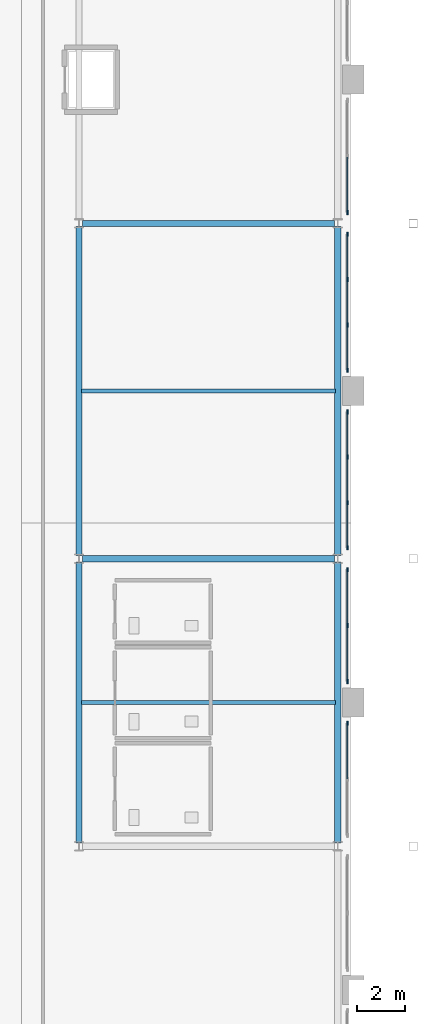
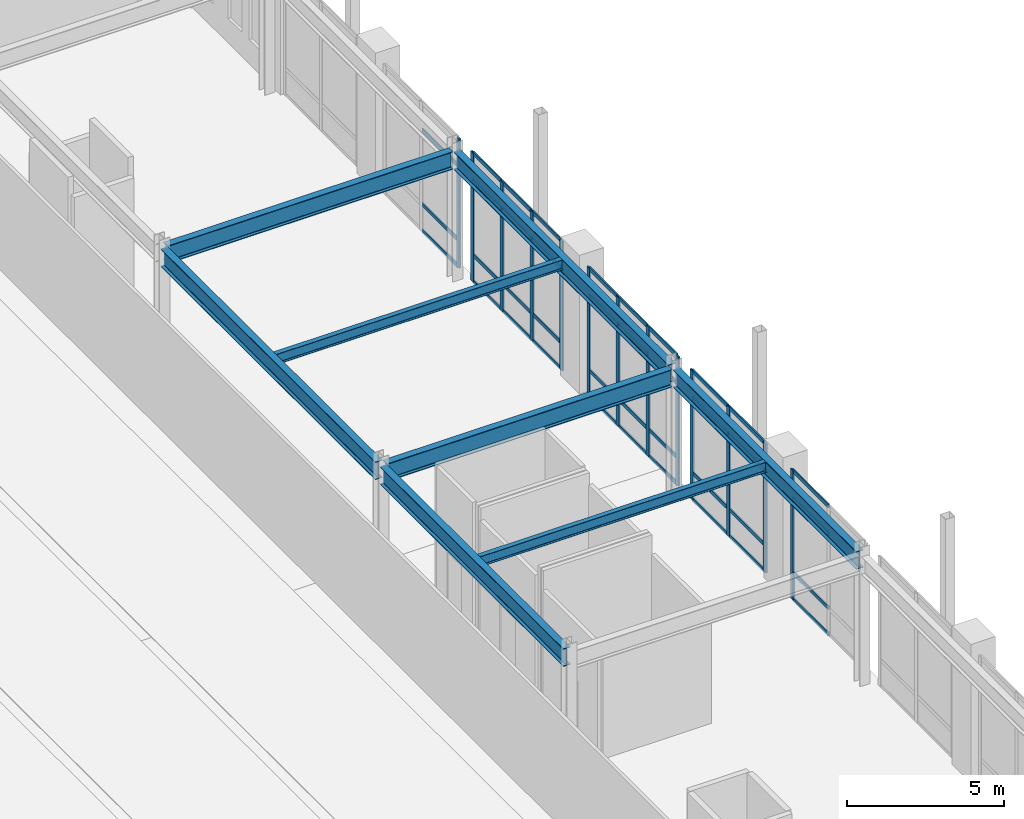
# One storey, part 72 of 159: 52 members, 8 beams, 5 elements without a shape of their own.
"""IFC4 building model written with IfcOpenShell, lengths in metres."""

from ifc_helpers import new_model, si_unit, derived_unit, direction, frame, origin, origin_2d, place, context, subcontext, project, spatial, rectangle, i_section, extrude, material, layer, layer_set, material_profile, profile_set, type_object, element, aggregate, save


model = new_model("IFC4")

# Units and contexts
model_context = context("Model", 3, precision=1e-05, world=origin(), true_north=direction((0.0, 1.0)))
body_context = subcontext(model_context, "Body", "Model", "MODEL_VIEW")
ifc_project = project(units=[si_unit("LENGTHUNIT", "METRE"), si_unit("AREAUNIT", "SQUARE_METRE"), si_unit("VOLUMEUNIT", "CUBIC_METRE"), si_unit("PLANEANGLEUNIT", "RADIAN"), si_unit("MASSUNIT", "GRAM", prefix="KILO"), derived_unit("THERMALTRANSMITTANCEUNIT", [(si_unit("MASSUNIT", "GRAM", prefix="KILO"), 1), (si_unit("TIMEUNIT", "SECOND"), -3), (si_unit("THERMODYNAMICTEMPERATUREUNIT", "KELVIN"), -1)])], contexts=[model_context])

# Site, building, storey
site_placement = place(None, origin())
site = spatial("IfcSite", under=ifc_project, at=site_placement, CompositionType="ELEMENT")
building_placement = place(site_placement, origin())
building = spatial("IfcBuilding", under=site, at=building_placement, Name="Valcora Ridge Arena", CompositionType="ELEMENT")
storey_placement = place(building_placement, frame((0.0, 0.0, 6.0)))
storey = spatial("IfcBuildingStorey", under=building, at=storey_placement, Name="L01", CompositionType="ELEMENT", Elevation=6.0)

# Beams
ifc_material_1 = material(Name="Steel ASTM A572 Grade 50", Category="steel")
ifc_material_profile_1 = material_profile(ifc_material_1, i_section(OverallWidth=0.256103515625, OverallDepth=0.693115234375, WebThickness=0.014404296875, FlangeThickness=0.023681640625, FilletRadius=0.02001953125, at=origin_2d()), Name="W27X114")
ifc_profile_set_1 = profile_set([ifc_material_profile_1], Name="Steel ASTM A572 Grade 50")
beam_type_1 = type_object("IfcBeamType", Name="TY-BEAM-G-W27X114-X", PredefinedType="BEAM", material=ifc_profile_set_1)
for number, where, z_axis, x_axis, name in (
    (1, (176.139892578125, 40.0, 4.693603515625), (1.0, 0.0, 0.0), (0.0, 1.0, 0.0), "G-W27X114-X BEM-G-W27X114-X-0030"),
    (2, (176.139892578125, 54.0, 4.693603515625), (1.0, 0.0, 0.0), (0.0, 1.0, 0.0), "G-W27X114-X BEM-G-W27X114-X-0032"),
):
    element("IfcBeam", number, at=place(storey_placement, frame(where, z_axis=z_axis, x_axis=x_axis)), inside=storey, type_object=beam_type_1, Name=name, PredefinedType="BEAM", context=body_context, shape_type="SweptSolid", body=[
        extrude(i_section(OverallWidth=0.256103515625, OverallDepth=0.693115234375, WebThickness=0.014404296875, FlangeThickness=0.023681640625, FilletRadius=0.02001953125, at=origin_2d()), origin(), (0.0, 0.0, 1.0), 10.52001953125),
    ])
ifc_material_profile_2 = material_profile(ifc_material_1, i_section(OverallWidth=0.256103515625, OverallDepth=0.693115234375, WebThickness=0.014404296875, FlangeThickness=0.023681640625, FilletRadius=0.02001953125, at=origin_2d()), Name="W27X114")
ifc_profile_set_2 = profile_set([ifc_material_profile_2], Name="Steel ASTM A572 Grade 50")
beam_type_2 = type_object("IfcBeamType", Name="TY-BEAM-G-W27X114-Y", PredefinedType="BEAM", material=ifc_profile_set_2)
beam_1_placement = place(storey_placement, frame((176.0, 28.139892578125, 4.693603515625), z_axis=(0.0, 1.0, 0.0), x_axis=(-1.0, 0.0, 0.0)))
element("IfcBeam", 3, at=beam_1_placement, inside=storey, type_object=beam_type_2, Name="G-W27X114-Y BEM-G-W27X114-Y-0049", PredefinedType="BEAM", context=body_context, shape_type="SweptSolid", body=[
    extrude(i_section(OverallWidth=0.256103515625, OverallDepth=0.693115234375, WebThickness=0.014404296875, FlangeThickness=0.023681640625, FilletRadius=0.02001953125, at=origin_2d()), origin(), (0.0, 0.0, 1.0), 11.72021484375),
])
beam_2_placement = place(storey_placement, frame((176.0, 40.139892578125, 4.693603515625), z_axis=(0.0, 1.0, 0.0), x_axis=(-1.0, 0.0, 0.0)))
element("IfcBeam", 4, at=beam_2_placement, inside=storey, type_object=beam_type_2, Name="G-W27X114-Y BEM-G-W27X114-Y-0050", PredefinedType="BEAM", context=body_context, shape_type="SweptSolid", body=[
    extrude(i_section(OverallWidth=0.256103515625, OverallDepth=0.693115234375, WebThickness=0.014404296875, FlangeThickness=0.023681640625, FilletRadius=0.02001953125, at=origin_2d()), origin(), (0.0, 0.0, 1.0), 13.72021484375),
])
beam_3_placement = place(storey_placement, frame((186.800048828125, 28.139892578125, 4.693603515625), z_axis=(0.0, 1.0, 0.0), x_axis=(-1.0, 0.0, 0.0)))
element("IfcBeam", 5, at=beam_3_placement, inside=storey, type_object=beam_type_2, Name="G-W27X114-Y BEM-G-W27X114-Y-0055", PredefinedType="BEAM", context=body_context, shape_type="SweptSolid", body=[
    extrude(i_section(OverallWidth=0.256103515625, OverallDepth=0.693115234375, WebThickness=0.014404296875, FlangeThickness=0.023681640625, FilletRadius=0.02001953125, at=origin_2d()), origin(), (0.0, 0.0, 1.0), 11.72021484375),
])
beam_4_placement = place(storey_placement, frame((186.800048828125, 40.139892578125, 4.693603515625), z_axis=(0.0, 1.0, 0.0), x_axis=(-1.0, 0.0, 0.0)))
element("IfcBeam", 6, at=beam_4_placement, inside=storey, type_object=beam_type_2, Name="G-W27X114-Y BEM-G-W27X114-Y-0056", PredefinedType="BEAM", context=body_context, shape_type="SweptSolid", body=[
    extrude(i_section(OverallWidth=0.256103515625, OverallDepth=0.693115234375, WebThickness=0.014404296875, FlangeThickness=0.023681640625, FilletRadius=0.02001953125, at=origin_2d()), origin(), (0.0, 0.0, 1.0), 13.72021484375),
])
ifc_material_profile_3 = material_profile(ifc_material_1, i_section(OverallWidth=0.177978515625, OverallDepth=0.406005859375, WebThickness=0.0078125, FlangeThickness=0.0126953125, FilletRadius=0.013916015625, at=origin_2d()), Name="W16X40")
ifc_profile_set_3 = profile_set([ifc_material_profile_3], Name="Steel ASTM A572 Grade 50")
beam_type_3 = type_object("IfcBeamType", Name="TY-BEAM-J-W16X40", PredefinedType="JOIST", material=ifc_profile_set_3)
for number, where, z_axis, x_axis, name in (
    (7, (176.10009765625, 34.0, 4.8369140625), (1.0, 0.0, 0.0), (0.0, 1.0, 0.0), "J-W16X40 BEM-J-W16X40-0015"),
    (8, (176.10009765625, 47.0, 4.8369140625), (1.0, 0.0, 0.0), (0.0, 1.0, 0.0), "J-W16X40 BEM-J-W16X40-0016"),
):
    element("IfcBeam", number, at=place(storey_placement, frame(where, z_axis=z_axis, x_axis=x_axis)), inside=storey, type_object=beam_type_3, Name=name, PredefinedType="JOIST", context=body_context, shape_type="SweptSolid", body=[
        extrude(i_section(OverallWidth=0.177978515625, OverallDepth=0.406005859375, WebThickness=0.0078125, FlangeThickness=0.0126953125, FilletRadius=0.013916015625, at=origin_2d()), origin(), (0.0, 0.0, 1.0), 10.599853515625),
    ])

# Curtain wall, member
ifc_material_2 = material(Name="Anodised dark bronze architectural aluminium 6063-T6", Category="aluminium")
ifc_layer_1 = layer(ifc_material_2, 0.179931640625, Name="Anodised dark bronze architectural aluminium 6063-T6")
ifc_layer_set_1 = layer_set([ifc_layer_1], Name="Anodised dark bronze architectural aluminium 6063-T6")
curtain_wall_type_1 = type_object("IfcCurtainWallType", Name="TY-CURTAINWALL-CW-V2-GLAZ-047X50", PredefinedType="NOTDEFINED", material=ifc_layer_set_1)
curtain_wall_1_placement = place(storey_placement, origin())
curtain_wall_1 = element("IfcCurtainWall", 9, at=curtain_wall_1_placement, inside=storey, type_object=curtain_wall_type_1, Name="CW-V2-GLAZ-047X50 CW-0051", PredefinedType="NOTDEFINED")
ifc_material_profile_4 = material_profile(ifc_material_2, rectangle(XDim=0.06005859375, YDim=0.179931640625, at=origin_2d()), Name="ALU MULLION 60x180")
ifc_profile_set_4 = profile_set([ifc_material_profile_4], Name="Anodised dark bronze architectural aluminium 6063-T6")
member_type_1 = type_object("IfcMemberType", Name="TY-MEM-CWM-60x180", PredefinedType="MULLION", material=ifc_profile_set_4)
member_1_placement = place(storey_placement, frame((187.199951171875, 33.1298828125, 0.0), z_axis=(0.0, 0.0, 1.0), x_axis=(-1.0, 0.0, 0.0)))
member_1 = element("IfcMember", 10, at=member_1_placement, type_object=member_type_1, Name="CW-0051/CWM-60x180/M02", PredefinedType="MULLION", context=body_context, shape_type="SweptSolid", body=[
    extrude(rectangle(XDim=0.06005859375, YDim=0.179931640625, at=origin_2d()), origin(), (0.0, 0.0, 1.0), 5.0400390625),
])

# Curtain wall, members
curtain_wall_2_placement = place(storey_placement, origin())
curtain_wall_2 = element("IfcCurtainWall", 11, at=curtain_wall_2_placement, inside=storey, type_object=curtain_wall_type_1, Name="CW-V2-GLAZ-047X50 CW-0052", PredefinedType="NOTDEFINED")
member_2_placement = place(storey_placement, frame((187.199951171875, 34.8701171875, 0.0), z_axis=(0.0, 0.0, 1.0), x_axis=(-1.0, 0.0, 0.0)))
member_2 = element("IfcMember", 12, at=member_2_placement, type_object=member_type_1, Name="CW-0052/CWM-60x180/M00", PredefinedType="MULLION", context=body_context, shape_type="SweptSolid", body=[
    extrude(rectangle(XDim=0.06005859375, YDim=0.179931640625, at=origin_2d()), origin(), (0.0, 0.0, 1.0), 5.0400390625),
])
member_3_placement = place(storey_placement, frame((187.199951171875, 37.206787109375, 0.0), z_axis=(0.0, 0.0, 1.0), x_axis=(-1.0, 0.0, 0.0)))
member_3 = element("IfcMember", 13, at=member_3_placement, type_object=member_type_1, Name="CW-0052/CWM-60x180/M01", PredefinedType="MULLION", context=body_context, shape_type="SweptSolid", body=[
    extrude(rectangle(XDim=0.06005859375, YDim=0.179931640625, at=origin_2d()), origin(), (0.0, 0.0, 1.0), 5.0400390625),
])
member_4_placement = place(storey_placement, frame((187.199951171875, 39.54345703125, 0.0), z_axis=(0.0, 0.0, 1.0), x_axis=(-1.0, 0.0, 0.0)))
member_4 = element("IfcMember", 14, at=member_4_placement, type_object=member_type_1, Name="CW-0052/CWM-60x180/M02", PredefinedType="MULLION", context=body_context, shape_type="SweptSolid", body=[
    extrude(rectangle(XDim=0.06005859375, YDim=0.179931640625, at=origin_2d()), origin(), (0.0, 0.0, 1.0), 5.0400390625),
])

ifc_layer_2 = layer(ifc_material_2, 0.179931640625, Name="Anodised dark bronze architectural aluminium 6063-T6")
ifc_layer_set_2 = layer_set([ifc_layer_2], Name="Anodised dark bronze architectural aluminium 6063-T6")
curtain_wall_type_2 = type_object("IfcCurtainWallType", Name="TY-CURTAINWALL-CW-V2-GLAZ-057X50", PredefinedType="NOTDEFINED", material=ifc_layer_set_2)
curtain_wall_3_placement = place(storey_placement, origin())
curtain_wall_3 = element("IfcCurtainWall", 15, at=curtain_wall_3_placement, inside=storey, type_object=curtain_wall_type_2, Name="CW-V2-GLAZ-057X50 CW-0053", PredefinedType="NOTDEFINED")
member_5_placement = place(storey_placement, frame((187.199951171875, 40.45654296875, 0.0), z_axis=(0.0, 0.0, 1.0), x_axis=(-1.0, 0.0, 0.0)))
member_5 = element("IfcMember", 16, at=member_5_placement, type_object=member_type_1, Name="CW-0053/CWM-60x180/M00", PredefinedType="MULLION", context=body_context, shape_type="SweptSolid", body=[
    extrude(rectangle(XDim=0.06005859375, YDim=0.179931640625, at=origin_2d()), origin(), (0.0, 0.0, 1.0), 5.0400390625),
])
member_6_placement = place(storey_placement, frame((187.199951171875, 42.337646484375, 0.0), z_axis=(0.0, 0.0, 1.0), x_axis=(-1.0, 0.0, 0.0)))
member_6 = element("IfcMember", 17, at=member_6_placement, type_object=member_type_1, Name="CW-0053/CWM-60x180/M01", PredefinedType="MULLION", context=body_context, shape_type="SweptSolid", body=[
    extrude(rectangle(XDim=0.06005859375, YDim=0.179931640625, at=origin_2d()), origin(), (0.0, 0.0, 1.0), 5.0400390625),
])
member_7_placement = place(storey_placement, frame((187.199951171875, 44.248779296875, 0.0), z_axis=(0.0, 0.0, 1.0), x_axis=(-1.0, 0.0, 0.0)))
member_7 = element("IfcMember", 18, at=member_7_placement, type_object=member_type_1, Name="CW-0053/CWM-60x180/M02", PredefinedType="MULLION", context=body_context, shape_type="SweptSolid", body=[
    extrude(rectangle(XDim=0.06005859375, YDim=0.179931640625, at=origin_2d()), origin(), (0.0, 0.0, 1.0), 5.0400390625),
])
member_8_placement = place(storey_placement, frame((187.199951171875, 46.1298828125, 0.0), z_axis=(0.0, 0.0, 1.0), x_axis=(-1.0, 0.0, 0.0)))
member_8 = element("IfcMember", 19, at=member_8_placement, type_object=member_type_1, Name="CW-0053/CWM-60x180/M03", PredefinedType="MULLION", context=body_context, shape_type="SweptSolid", body=[
    extrude(rectangle(XDim=0.06005859375, YDim=0.179931640625, at=origin_2d()), origin(), (0.0, 0.0, 1.0), 5.0400390625),
])

curtain_wall_4_placement = place(storey_placement, origin())
curtain_wall_4 = element("IfcCurtainWall", 20, at=curtain_wall_4_placement, inside=storey, type_object=curtain_wall_type_2, Name="CW-V2-GLAZ-057X50 CW-0054", PredefinedType="NOTDEFINED")
member_9_placement = place(storey_placement, frame((187.199951171875, 47.8701171875, 0.0), z_axis=(0.0, 0.0, 1.0), x_axis=(-1.0, 0.0, 0.0)))
member_9 = element("IfcMember", 21, at=member_9_placement, type_object=member_type_1, Name="CW-0054/CWM-60x180/M00", PredefinedType="MULLION", context=body_context, shape_type="SweptSolid", body=[
    extrude(rectangle(XDim=0.06005859375, YDim=0.179931640625, at=origin_2d()), origin(), (0.0, 0.0, 1.0), 5.0400390625),
])
member_10_placement = place(storey_placement, frame((187.199951171875, 49.751220703125, 0.0), z_axis=(0.0, 0.0, 1.0), x_axis=(-1.0, 0.0, 0.0)))
member_10 = element("IfcMember", 22, at=member_10_placement, type_object=member_type_1, Name="CW-0054/CWM-60x180/M01", PredefinedType="MULLION", context=body_context, shape_type="SweptSolid", body=[
    extrude(rectangle(XDim=0.06005859375, YDim=0.179931640625, at=origin_2d()), origin(), (0.0, 0.0, 1.0), 5.0400390625),
])
member_11_placement = place(storey_placement, frame((187.199951171875, 51.662353515625, 0.0), z_axis=(0.0, 0.0, 1.0), x_axis=(-1.0, 0.0, 0.0)))
member_11 = element("IfcMember", 23, at=member_11_placement, type_object=member_type_1, Name="CW-0054/CWM-60x180/M02", PredefinedType="MULLION", context=body_context, shape_type="SweptSolid", body=[
    extrude(rectangle(XDim=0.06005859375, YDim=0.179931640625, at=origin_2d()), origin(), (0.0, 0.0, 1.0), 5.0400390625),
])
member_12_placement = place(storey_placement, frame((187.199951171875, 53.54345703125, 0.0), z_axis=(0.0, 0.0, 1.0), x_axis=(-1.0, 0.0, 0.0)))
member_12 = element("IfcMember", 24, at=member_12_placement, type_object=member_type_1, Name="CW-0054/CWM-60x180/M03", PredefinedType="MULLION", context=body_context, shape_type="SweptSolid", body=[
    extrude(rectangle(XDim=0.06005859375, YDim=0.179931640625, at=origin_2d()), origin(), (0.0, 0.0, 1.0), 5.0400390625),
])

# Curtain wall, member
curtain_wall_5_placement = place(storey_placement, origin())
curtain_wall_5 = element("IfcCurtainWall", 25, at=curtain_wall_5_placement, inside=storey, type_object=curtain_wall_type_1, Name="CW-V2-GLAZ-047X50 CW-0055", PredefinedType="NOTDEFINED")
member_13_placement = place(storey_placement, frame((187.199951171875, 54.45654296875, 0.0), z_axis=(0.0, 0.0, 1.0), x_axis=(-1.0, 0.0, 0.0)))
member_13 = element("IfcMember", 26, at=member_13_placement, type_object=member_type_1, Name="CW-0055/CWM-60x180/M00", PredefinedType="MULLION", context=body_context, shape_type="SweptSolid", body=[
    extrude(rectangle(XDim=0.06005859375, YDim=0.179931640625, at=origin_2d()), origin(), (0.0, 0.0, 1.0), 5.0400390625),
])

# Member
ifc_material_profile_5 = material_profile(ifc_material_2, rectangle(XDim=0.050048828125, YDim=0.14990234375, at=origin_2d()), Name="ALU TRANSOM 50x150")
ifc_profile_set_5 = profile_set([ifc_material_profile_5], Name="Anodised dark bronze architectural aluminium 6063-T6")
member_type_2 = type_object("IfcMemberType", Name="TY-MEM-CWT-50x150", PredefinedType="USERDEFINED", material=ifc_profile_set_5)
member_14_placement = place(storey_placement, frame((187.199951171875, 30.823486328125, 0.02490234375), z_axis=(0.0, 1.0, 0.0), x_axis=(-1.0, 0.0, 0.0)))
member_14 = element("IfcMember", 27, at=member_14_placement, type_object=member_type_2, Name="CW-0051/CWT-50x150/T01-00", ObjectType="TRANSOM", PredefinedType="USERDEFINED", context=body_context, shape_type="SweptSolid", body=[
    extrude(rectangle(XDim=0.050048828125, YDim=0.14990234375, at=origin_2d()), origin(), (0.0, 0.0, 1.0), 2.276123046875),
])

member_15_placement = place(storey_placement, frame((187.199951171875, 30.823486328125, 1.050048828125), z_axis=(0.0, 1.0, 0.0), x_axis=(-1.0, 0.0, 0.0)))
member_15 = element("IfcMember", 28, at=member_15_placement, type_object=member_type_2, Name="CW-0051/CWT-50x150/T01-01", ObjectType="TRANSOM", PredefinedType="USERDEFINED", context=body_context, shape_type="SweptSolid", body=[
    extrude(rectangle(XDim=0.050048828125, YDim=0.14990234375, at=origin_2d()), origin(), (0.0, 0.0, 1.0), 2.276123046875),
])

member_16_placement = place(storey_placement, frame((187.199951171875, 30.823486328125, 3.93994140625), z_axis=(0.0, 1.0, 0.0), x_axis=(-1.0, 0.0, 0.0)))
member_16 = element("IfcMember", 29, at=member_16_placement, type_object=member_type_2, Name="CW-0051/CWT-50x150/T01-02", ObjectType="TRANSOM", PredefinedType="USERDEFINED", context=body_context, shape_type="SweptSolid", body=[
    extrude(rectangle(XDim=0.050048828125, YDim=0.14990234375, at=origin_2d()), origin(), (0.0, 0.0, 1.0), 2.276123046875),
])

member_17_placement = place(storey_placement, frame((187.199951171875, 30.823486328125, 5.014892578125), z_axis=(0.0, 1.0, 0.0), x_axis=(-1.0, 0.0, 0.0)))
member_17 = element("IfcMember", 30, at=member_17_placement, type_object=member_type_2, Name="CW-0051/CWT-50x150/T01-03", ObjectType="TRANSOM", PredefinedType="USERDEFINED", context=body_context, shape_type="SweptSolid", body=[
    extrude(rectangle(XDim=0.050048828125, YDim=0.14990234375, at=origin_2d()), origin(), (0.0, 0.0, 1.0), 2.276123046875),
])

aggregate(curtain_wall_1, [member_1, member_14, member_15, member_16, member_17])

member_18_placement = place(storey_placement, frame((187.199951171875, 34.89990234375, 0.02490234375), z_axis=(0.0, 1.0, 0.0), x_axis=(-1.0, 0.0, 0.0)))
member_18 = element("IfcMember", 31, at=member_18_placement, type_object=member_type_2, Name="CW-0052/CWT-50x150/T00-00", ObjectType="TRANSOM", PredefinedType="USERDEFINED", context=body_context, shape_type="SweptSolid", body=[
    extrude(rectangle(XDim=0.050048828125, YDim=0.14990234375, at=origin_2d()), origin(), (0.0, 0.0, 1.0), 2.277099609375),
])

member_19_placement = place(storey_placement, frame((187.199951171875, 34.89990234375, 1.050048828125), z_axis=(0.0, 1.0, 0.0), x_axis=(-1.0, 0.0, 0.0)))
member_19 = element("IfcMember", 32, at=member_19_placement, type_object=member_type_2, Name="CW-0052/CWT-50x150/T00-01", ObjectType="TRANSOM", PredefinedType="USERDEFINED", context=body_context, shape_type="SweptSolid", body=[
    extrude(rectangle(XDim=0.050048828125, YDim=0.14990234375, at=origin_2d()), origin(), (0.0, 0.0, 1.0), 2.277099609375),
])

member_20_placement = place(storey_placement, frame((187.199951171875, 34.89990234375, 3.93994140625), z_axis=(0.0, 1.0, 0.0), x_axis=(-1.0, 0.0, 0.0)))
member_20 = element("IfcMember", 33, at=member_20_placement, type_object=member_type_2, Name="CW-0052/CWT-50x150/T00-02", ObjectType="TRANSOM", PredefinedType="USERDEFINED", context=body_context, shape_type="SweptSolid", body=[
    extrude(rectangle(XDim=0.050048828125, YDim=0.14990234375, at=origin_2d()), origin(), (0.0, 0.0, 1.0), 2.277099609375),
])

member_21_placement = place(storey_placement, frame((187.199951171875, 34.89990234375, 5.014892578125), z_axis=(0.0, 1.0, 0.0), x_axis=(-1.0, 0.0, 0.0)))
member_21 = element("IfcMember", 34, at=member_21_placement, type_object=member_type_2, Name="CW-0052/CWT-50x150/T00-03", ObjectType="TRANSOM", PredefinedType="USERDEFINED", context=body_context, shape_type="SweptSolid", body=[
    extrude(rectangle(XDim=0.050048828125, YDim=0.14990234375, at=origin_2d()), origin(), (0.0, 0.0, 1.0), 2.277099609375),
])

member_22_placement = place(storey_placement, frame((187.199951171875, 37.237060546875, 0.02490234375), z_axis=(0.0, 1.0, 0.0), x_axis=(-1.0, 0.0, 0.0)))
member_22 = element("IfcMember", 35, at=member_22_placement, type_object=member_type_2, Name="CW-0052/CWT-50x150/T01-00", ObjectType="TRANSOM", PredefinedType="USERDEFINED", context=body_context, shape_type="SweptSolid", body=[
    extrude(rectangle(XDim=0.050048828125, YDim=0.14990234375, at=origin_2d()), origin(), (0.0, 0.0, 1.0), 2.27587890625),
])

member_23_placement = place(storey_placement, frame((187.199951171875, 37.237060546875, 1.050048828125), z_axis=(0.0, 1.0, 0.0), x_axis=(-1.0, 0.0, 0.0)))
member_23 = element("IfcMember", 36, at=member_23_placement, type_object=member_type_2, Name="CW-0052/CWT-50x150/T01-01", ObjectType="TRANSOM", PredefinedType="USERDEFINED", context=body_context, shape_type="SweptSolid", body=[
    extrude(rectangle(XDim=0.050048828125, YDim=0.14990234375, at=origin_2d()), origin(), (0.0, 0.0, 1.0), 2.27587890625),
])

member_24_placement = place(storey_placement, frame((187.199951171875, 37.237060546875, 3.93994140625), z_axis=(0.0, 1.0, 0.0), x_axis=(-1.0, 0.0, 0.0)))
member_24 = element("IfcMember", 37, at=member_24_placement, type_object=member_type_2, Name="CW-0052/CWT-50x150/T01-02", ObjectType="TRANSOM", PredefinedType="USERDEFINED", context=body_context, shape_type="SweptSolid", body=[
    extrude(rectangle(XDim=0.050048828125, YDim=0.14990234375, at=origin_2d()), origin(), (0.0, 0.0, 1.0), 2.27587890625),
])

member_25_placement = place(storey_placement, frame((187.199951171875, 37.237060546875, 5.014892578125), z_axis=(0.0, 1.0, 0.0), x_axis=(-1.0, 0.0, 0.0)))
member_25 = element("IfcMember", 38, at=member_25_placement, type_object=member_type_2, Name="CW-0052/CWT-50x150/T01-03", ObjectType="TRANSOM", PredefinedType="USERDEFINED", context=body_context, shape_type="SweptSolid", body=[
    extrude(rectangle(XDim=0.050048828125, YDim=0.14990234375, at=origin_2d()), origin(), (0.0, 0.0, 1.0), 2.27587890625),
])

aggregate(curtain_wall_2, [member_2, member_3, member_4, member_18, member_19, member_20, member_21, member_22, member_23, member_24, member_25])

member_26_placement = place(storey_placement, frame((187.199951171875, 40.486572265625, 0.02490234375), z_axis=(0.0, 1.0, 0.0), x_axis=(-1.0, 0.0, 0.0)))
member_26 = element("IfcMember", 39, at=member_26_placement, type_object=member_type_2, Name="CW-0053/CWT-50x150/T00-00", ObjectType="TRANSOM", PredefinedType="USERDEFINED", context=body_context, shape_type="SweptSolid", body=[
    extrude(rectangle(XDim=0.050048828125, YDim=0.14990234375, at=origin_2d()), origin(), (0.0, 0.0, 1.0), 1.821044921875),
])

member_27_placement = place(storey_placement, frame((187.199951171875, 40.486572265625, 1.050048828125), z_axis=(0.0, 1.0, 0.0), x_axis=(-1.0, 0.0, 0.0)))
member_27 = element("IfcMember", 40, at=member_27_placement, type_object=member_type_2, Name="CW-0053/CWT-50x150/T00-01", ObjectType="TRANSOM", PredefinedType="USERDEFINED", context=body_context, shape_type="SweptSolid", body=[
    extrude(rectangle(XDim=0.050048828125, YDim=0.14990234375, at=origin_2d()), origin(), (0.0, 0.0, 1.0), 1.821044921875),
])

member_28_placement = place(storey_placement, frame((187.199951171875, 40.486572265625, 3.93994140625), z_axis=(0.0, 1.0, 0.0), x_axis=(-1.0, 0.0, 0.0)))
member_28 = element("IfcMember", 41, at=member_28_placement, type_object=member_type_2, Name="CW-0053/CWT-50x150/T00-02", ObjectType="TRANSOM", PredefinedType="USERDEFINED", context=body_context, shape_type="SweptSolid", body=[
    extrude(rectangle(XDim=0.050048828125, YDim=0.14990234375, at=origin_2d()), origin(), (0.0, 0.0, 1.0), 1.821044921875),
])

member_29_placement = place(storey_placement, frame((187.199951171875, 40.486572265625, 5.014892578125), z_axis=(0.0, 1.0, 0.0), x_axis=(-1.0, 0.0, 0.0)))
member_29 = element("IfcMember", 42, at=member_29_placement, type_object=member_type_2, Name="CW-0053/CWT-50x150/T00-03", ObjectType="TRANSOM", PredefinedType="USERDEFINED", context=body_context, shape_type="SweptSolid", body=[
    extrude(rectangle(XDim=0.050048828125, YDim=0.14990234375, at=origin_2d()), origin(), (0.0, 0.0, 1.0), 1.821044921875),
])

member_30_placement = place(storey_placement, frame((187.199951171875, 42.367431640625, 0.02490234375), z_axis=(0.0, 1.0, 0.0), x_axis=(-1.0, 0.0, 0.0)))
member_30 = element("IfcMember", 43, at=member_30_placement, type_object=member_type_2, Name="CW-0053/CWT-50x150/T01-00", ObjectType="TRANSOM", PredefinedType="USERDEFINED", context=body_context, shape_type="SweptSolid", body=[
    extrude(rectangle(XDim=0.050048828125, YDim=0.14990234375, at=origin_2d()), origin(), (0.0, 0.0, 1.0), 1.85107421875),
])

member_31_placement = place(storey_placement, frame((187.199951171875, 42.367431640625, 1.050048828125), z_axis=(0.0, 1.0, 0.0), x_axis=(-1.0, 0.0, 0.0)))
member_31 = element("IfcMember", 44, at=member_31_placement, type_object=member_type_2, Name="CW-0053/CWT-50x150/T01-01", ObjectType="TRANSOM", PredefinedType="USERDEFINED", context=body_context, shape_type="SweptSolid", body=[
    extrude(rectangle(XDim=0.050048828125, YDim=0.14990234375, at=origin_2d()), origin(), (0.0, 0.0, 1.0), 1.85107421875),
])

member_32_placement = place(storey_placement, frame((187.199951171875, 42.367431640625, 3.93994140625), z_axis=(0.0, 1.0, 0.0), x_axis=(-1.0, 0.0, 0.0)))
member_32 = element("IfcMember", 45, at=member_32_placement, type_object=member_type_2, Name="CW-0053/CWT-50x150/T01-02", ObjectType="TRANSOM", PredefinedType="USERDEFINED", context=body_context, shape_type="SweptSolid", body=[
    extrude(rectangle(XDim=0.050048828125, YDim=0.14990234375, at=origin_2d()), origin(), (0.0, 0.0, 1.0), 1.85107421875),
])

member_33_placement = place(storey_placement, frame((187.199951171875, 42.367431640625, 5.014892578125), z_axis=(0.0, 1.0, 0.0), x_axis=(-1.0, 0.0, 0.0)))
member_33 = element("IfcMember", 46, at=member_33_placement, type_object=member_type_2, Name="CW-0053/CWT-50x150/T01-03", ObjectType="TRANSOM", PredefinedType="USERDEFINED", context=body_context, shape_type="SweptSolid", body=[
    extrude(rectangle(XDim=0.050048828125, YDim=0.14990234375, at=origin_2d()), origin(), (0.0, 0.0, 1.0), 1.85107421875),
])

member_34_placement = place(storey_placement, frame((187.199951171875, 44.278564453125, 0.02490234375), z_axis=(0.0, 1.0, 0.0), x_axis=(-1.0, 0.0, 0.0)))
member_34 = element("IfcMember", 47, at=member_34_placement, type_object=member_type_2, Name="CW-0053/CWT-50x150/T02-00", ObjectType="TRANSOM", PredefinedType="USERDEFINED", context=body_context, shape_type="SweptSolid", body=[
    extrude(rectangle(XDim=0.050048828125, YDim=0.14990234375, at=origin_2d()), origin(), (0.0, 0.0, 1.0), 1.821044921875),
])

member_35_placement = place(storey_placement, frame((187.199951171875, 44.278564453125, 1.050048828125), z_axis=(0.0, 1.0, 0.0), x_axis=(-1.0, 0.0, 0.0)))
member_35 = element("IfcMember", 48, at=member_35_placement, type_object=member_type_2, Name="CW-0053/CWT-50x150/T02-01", ObjectType="TRANSOM", PredefinedType="USERDEFINED", context=body_context, shape_type="SweptSolid", body=[
    extrude(rectangle(XDim=0.050048828125, YDim=0.14990234375, at=origin_2d()), origin(), (0.0, 0.0, 1.0), 1.821044921875),
])

member_36_placement = place(storey_placement, frame((187.199951171875, 44.278564453125, 3.93994140625), z_axis=(0.0, 1.0, 0.0), x_axis=(-1.0, 0.0, 0.0)))
member_36 = element("IfcMember", 49, at=member_36_placement, type_object=member_type_2, Name="CW-0053/CWT-50x150/T02-02", ObjectType="TRANSOM", PredefinedType="USERDEFINED", context=body_context, shape_type="SweptSolid", body=[
    extrude(rectangle(XDim=0.050048828125, YDim=0.14990234375, at=origin_2d()), origin(), (0.0, 0.0, 1.0), 1.821044921875),
])

member_37_placement = place(storey_placement, frame((187.199951171875, 44.278564453125, 5.014892578125), z_axis=(0.0, 1.0, 0.0), x_axis=(-1.0, 0.0, 0.0)))
member_37 = element("IfcMember", 50, at=member_37_placement, type_object=member_type_2, Name="CW-0053/CWT-50x150/T02-03", ObjectType="TRANSOM", PredefinedType="USERDEFINED", context=body_context, shape_type="SweptSolid", body=[
    extrude(rectangle(XDim=0.050048828125, YDim=0.14990234375, at=origin_2d()), origin(), (0.0, 0.0, 1.0), 1.821044921875),
])

aggregate(curtain_wall_3, [member_5, member_6, member_7, member_8, member_26, member_27, member_28, member_29, member_30, member_31, member_32, member_33, member_34, member_35, member_36, member_37])

member_38_placement = place(storey_placement, frame((187.199951171875, 47.89990234375, 0.02490234375), z_axis=(0.0, 1.0, 0.0), x_axis=(-1.0, 0.0, 0.0)))
member_38 = element("IfcMember", 51, at=member_38_placement, type_object=member_type_2, Name="CW-0054/CWT-50x150/T00-00", ObjectType="TRANSOM", PredefinedType="USERDEFINED", context=body_context, shape_type="SweptSolid", body=[
    extrude(rectangle(XDim=0.050048828125, YDim=0.14990234375, at=origin_2d()), origin(), (0.0, 0.0, 1.0), 1.821044921875),
])

member_39_placement = place(storey_placement, frame((187.199951171875, 47.89990234375, 1.050048828125), z_axis=(0.0, 1.0, 0.0), x_axis=(-1.0, 0.0, 0.0)))
member_39 = element("IfcMember", 52, at=member_39_placement, type_object=member_type_2, Name="CW-0054/CWT-50x150/T00-01", ObjectType="TRANSOM", PredefinedType="USERDEFINED", context=body_context, shape_type="SweptSolid", body=[
    extrude(rectangle(XDim=0.050048828125, YDim=0.14990234375, at=origin_2d()), origin(), (0.0, 0.0, 1.0), 1.821044921875),
])

member_40_placement = place(storey_placement, frame((187.199951171875, 47.89990234375, 3.93994140625), z_axis=(0.0, 1.0, 0.0), x_axis=(-1.0, 0.0, 0.0)))
member_40 = element("IfcMember", 53, at=member_40_placement, type_object=member_type_2, Name="CW-0054/CWT-50x150/T00-02", ObjectType="TRANSOM", PredefinedType="USERDEFINED", context=body_context, shape_type="SweptSolid", body=[
    extrude(rectangle(XDim=0.050048828125, YDim=0.14990234375, at=origin_2d()), origin(), (0.0, 0.0, 1.0), 1.821044921875),
])

member_41_placement = place(storey_placement, frame((187.199951171875, 47.89990234375, 5.014892578125), z_axis=(0.0, 1.0, 0.0), x_axis=(-1.0, 0.0, 0.0)))
member_41 = element("IfcMember", 54, at=member_41_placement, type_object=member_type_2, Name="CW-0054/CWT-50x150/T00-03", ObjectType="TRANSOM", PredefinedType="USERDEFINED", context=body_context, shape_type="SweptSolid", body=[
    extrude(rectangle(XDim=0.050048828125, YDim=0.14990234375, at=origin_2d()), origin(), (0.0, 0.0, 1.0), 1.821044921875),
])

member_42_placement = place(storey_placement, frame((187.199951171875, 49.781005859375, 0.02490234375), z_axis=(0.0, 1.0, 0.0), x_axis=(-1.0, 0.0, 0.0)))
member_42 = element("IfcMember", 55, at=member_42_placement, type_object=member_type_2, Name="CW-0054/CWT-50x150/T01-00", ObjectType="TRANSOM", PredefinedType="USERDEFINED", context=body_context, shape_type="SweptSolid", body=[
    extrude(rectangle(XDim=0.050048828125, YDim=0.14990234375, at=origin_2d()), origin(), (0.0, 0.0, 1.0), 1.85107421875),
])

member_43_placement = place(storey_placement, frame((187.199951171875, 49.781005859375, 1.050048828125), z_axis=(0.0, 1.0, 0.0), x_axis=(-1.0, 0.0, 0.0)))
member_43 = element("IfcMember", 56, at=member_43_placement, type_object=member_type_2, Name="CW-0054/CWT-50x150/T01-01", ObjectType="TRANSOM", PredefinedType="USERDEFINED", context=body_context, shape_type="SweptSolid", body=[
    extrude(rectangle(XDim=0.050048828125, YDim=0.14990234375, at=origin_2d()), origin(), (0.0, 0.0, 1.0), 1.85107421875),
])

member_44_placement = place(storey_placement, frame((187.199951171875, 49.781005859375, 3.93994140625), z_axis=(0.0, 1.0, 0.0), x_axis=(-1.0, 0.0, 0.0)))
member_44 = element("IfcMember", 57, at=member_44_placement, type_object=member_type_2, Name="CW-0054/CWT-50x150/T01-02", ObjectType="TRANSOM", PredefinedType="USERDEFINED", context=body_context, shape_type="SweptSolid", body=[
    extrude(rectangle(XDim=0.050048828125, YDim=0.14990234375, at=origin_2d()), origin(), (0.0, 0.0, 1.0), 1.85107421875),
])

member_45_placement = place(storey_placement, frame((187.199951171875, 49.781005859375, 5.014892578125), z_axis=(0.0, 1.0, 0.0), x_axis=(-1.0, 0.0, 0.0)))
member_45 = element("IfcMember", 58, at=member_45_placement, type_object=member_type_2, Name="CW-0054/CWT-50x150/T01-03", ObjectType="TRANSOM", PredefinedType="USERDEFINED", context=body_context, shape_type="SweptSolid", body=[
    extrude(rectangle(XDim=0.050048828125, YDim=0.14990234375, at=origin_2d()), origin(), (0.0, 0.0, 1.0), 1.85107421875),
])

member_46_placement = place(storey_placement, frame((187.199951171875, 51.69189453125, 0.02490234375), z_axis=(0.0, 1.0, 0.0), x_axis=(-1.0, 0.0, 0.0)))
member_46 = element("IfcMember", 59, at=member_46_placement, type_object=member_type_2, Name="CW-0054/CWT-50x150/T02-00", ObjectType="TRANSOM", PredefinedType="USERDEFINED", context=body_context, shape_type="SweptSolid", body=[
    extrude(rectangle(XDim=0.050048828125, YDim=0.14990234375, at=origin_2d()), origin(), (0.0, 0.0, 1.0), 1.821044921875),
])

member_47_placement = place(storey_placement, frame((187.199951171875, 51.69189453125, 1.050048828125), z_axis=(0.0, 1.0, 0.0), x_axis=(-1.0, 0.0, 0.0)))
member_47 = element("IfcMember", 60, at=member_47_placement, type_object=member_type_2, Name="CW-0054/CWT-50x150/T02-01", ObjectType="TRANSOM", PredefinedType="USERDEFINED", context=body_context, shape_type="SweptSolid", body=[
    extrude(rectangle(XDim=0.050048828125, YDim=0.14990234375, at=origin_2d()), origin(), (0.0, 0.0, 1.0), 1.821044921875),
])

member_48_placement = place(storey_placement, frame((187.199951171875, 51.69189453125, 3.93994140625), z_axis=(0.0, 1.0, 0.0), x_axis=(-1.0, 0.0, 0.0)))
member_48 = element("IfcMember", 61, at=member_48_placement, type_object=member_type_2, Name="CW-0054/CWT-50x150/T02-02", ObjectType="TRANSOM", PredefinedType="USERDEFINED", context=body_context, shape_type="SweptSolid", body=[
    extrude(rectangle(XDim=0.050048828125, YDim=0.14990234375, at=origin_2d()), origin(), (0.0, 0.0, 1.0), 1.821044921875),
])

member_49_placement = place(storey_placement, frame((187.199951171875, 51.69189453125, 5.014892578125), z_axis=(0.0, 1.0, 0.0), x_axis=(-1.0, 0.0, 0.0)))
member_49 = element("IfcMember", 62, at=member_49_placement, type_object=member_type_2, Name="CW-0054/CWT-50x150/T02-03", ObjectType="TRANSOM", PredefinedType="USERDEFINED", context=body_context, shape_type="SweptSolid", body=[
    extrude(rectangle(XDim=0.050048828125, YDim=0.14990234375, at=origin_2d()), origin(), (0.0, 0.0, 1.0), 1.821044921875),
])

aggregate(curtain_wall_4, [member_9, member_10, member_11, member_12, member_38, member_39, member_40, member_41, member_42, member_43, member_44, member_45, member_46, member_47, member_48, member_49])

member_50_placement = place(storey_placement, frame((187.199951171875, 54.486572265625, 0.02490234375), z_axis=(0.0, 1.0, 0.0), x_axis=(-1.0, 0.0, 0.0)))
member_50 = element("IfcMember", 63, at=member_50_placement, type_object=member_type_2, Name="CW-0055/CWT-50x150/T00-00", ObjectType="TRANSOM", PredefinedType="USERDEFINED", context=body_context, shape_type="SweptSolid", body=[
    extrude(rectangle(XDim=0.050048828125, YDim=0.14990234375, at=origin_2d()), origin(), (0.0, 0.0, 1.0), 2.27685546875),
])

member_51_placement = place(storey_placement, frame((187.199951171875, 54.486572265625, 1.050048828125), z_axis=(0.0, 1.0, 0.0), x_axis=(-1.0, 0.0, 0.0)))
member_51 = element("IfcMember", 64, at=member_51_placement, type_object=member_type_2, Name="CW-0055/CWT-50x150/T00-01", ObjectType="TRANSOM", PredefinedType="USERDEFINED", context=body_context, shape_type="SweptSolid", body=[
    extrude(rectangle(XDim=0.050048828125, YDim=0.14990234375, at=origin_2d()), origin(), (0.0, 0.0, 1.0), 2.27685546875),
])

member_52_placement = place(storey_placement, frame((187.199951171875, 54.486572265625, 3.93994140625), z_axis=(0.0, 1.0, 0.0), x_axis=(-1.0, 0.0, 0.0)))
member_52 = element("IfcMember", 65, at=member_52_placement, type_object=member_type_2, Name="CW-0055/CWT-50x150/T00-02", ObjectType="TRANSOM", PredefinedType="USERDEFINED", context=body_context, shape_type="SweptSolid", body=[
    extrude(rectangle(XDim=0.050048828125, YDim=0.14990234375, at=origin_2d()), origin(), (0.0, 0.0, 1.0), 2.27685546875),
])

aggregate(curtain_wall_5, [member_13, member_50, member_51, member_52])

save(model, "model.ifc")
